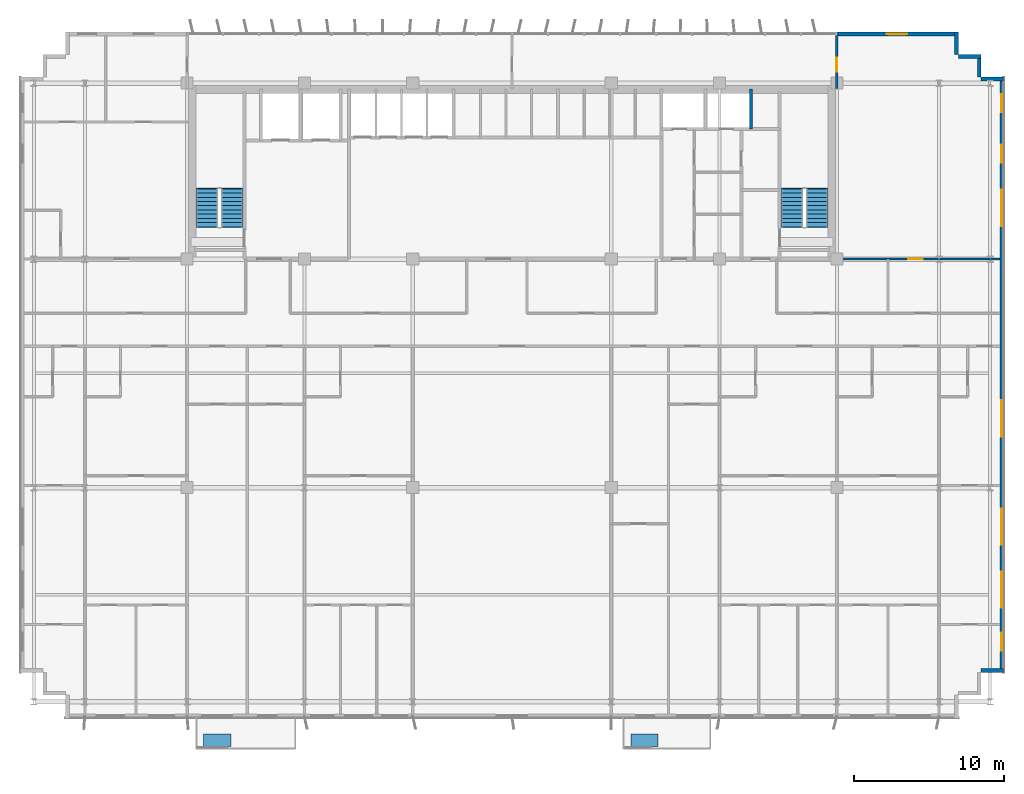
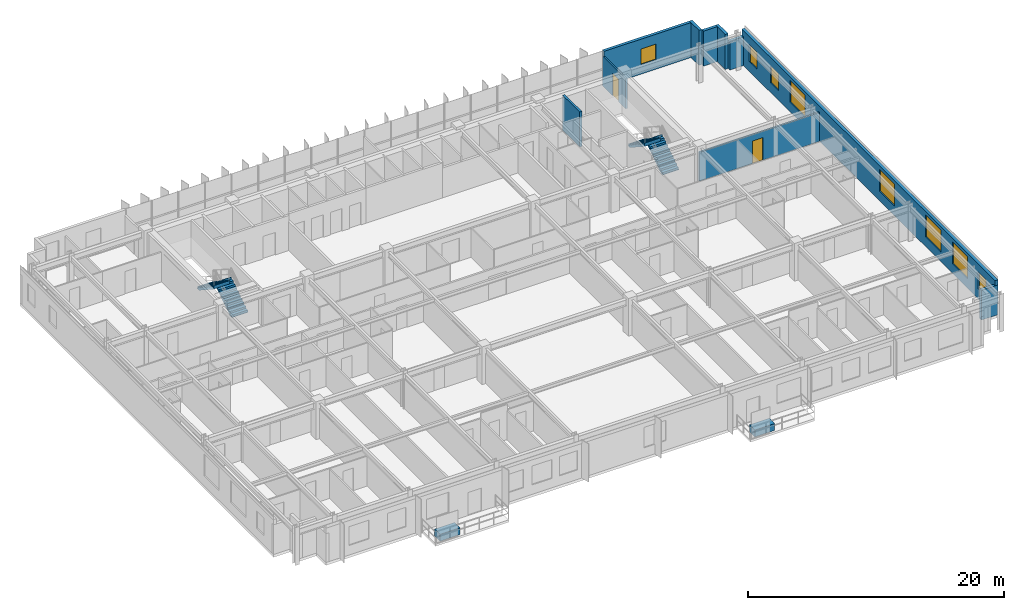
# One storey, part 19 of 22: 10 walls, 8 windows, 4 stair flights, 2 discrete accessories, 2 doors, 10 openings, 2 elements without a shape of their own.
"""IFC4 building model written with IfcOpenShell, lengths in metres."""

import ifcopenshell
import ifcopenshell.guid

model = None  # the IFC model being written
_history = None  # IfcOwnerHistory: only IFC2X3 demands one
_inside = {}  # id of a spatial element -> (the spatial element, [elements in it])
_under = {}  # id of a project, library or spatial element -> (it, [spatial elements below it])
_declared = {}  # id of a project -> (the project, [libraries it declares])
_typed = {}  # id of a type object -> (the type object, [elements of that type])
_made_of = {}  # id of a material, layer set ... -> (it, [elements and type objects made of it])


def new_model(schema):
    """Start an empty IFC model of exactly this schema.

    Asked for "IFC4X3", IfcOpenShell would pick the latest addendum, in which some entities
    have other attributes; the version numbers below select the first issue.
    IFC2X3 requires an IfcOwnerHistory on every rooted entity: one is made here for all.
    """
    global model, _history
    if schema == "IFC4X3":
        model = ifcopenshell.file(schema_version=(4, 3, 0, 0))
    else:
        model = ifcopenshell.file(schema=schema)
    _inside.clear()
    _under.clear()
    _declared.clear()
    _typed.clear()
    _made_of.clear()
    _history = None
    if model.schema == "IFC2X3":
        org = make("IfcOrganization", Name="unknown")
        user = make(
            "IfcPersonAndOrganization",
            ThePerson=make("IfcPerson", FamilyName="unknown"),
            TheOrganization=org,
        )
        app = make(
            "IfcApplication",
            ApplicationDeveloper=org,
            Version="unknown",
            ApplicationFullName="unknown",
            ApplicationIdentifier="unknown",
        )
        _history = make(
            "IfcOwnerHistory",
            OwningUser=user,
            OwningApplication=app,
            ChangeAction="ADDED",
            CreationDate=0,
        )
    return model


def make(cls, **values):
    """One entity of the class cls with the attributes given. An attribute that is None is left unset."""
    return model.create_entity(
        cls, **{name: value for name, value in values.items() if value is not None}
    )


def rooted(cls, **values):
    """An entity with a GlobalId (a new one), such as an element, a storey or a relation."""
    return make(cls, GlobalId=ifcopenshell.guid.new(), OwnerHistory=_history, **values)


def si_unit(unit_type, name, prefix=None):
    """IfcSIUnit, for example si_unit("LENGTHUNIT", "METRE", prefix="MILLI")."""
    return make("IfcSIUnit", UnitType=unit_type, Prefix=prefix, Name=name)


def assignment(units):
    """IfcUnitAssignment: the units of a project."""
    return None if units is None else make("IfcUnitAssignment", Units=units)


def point(xyz):
    """IfcCartesianPoint."""
    return None if xyz is None else make("IfcCartesianPoint", Coordinates=xyz)


def direction(xyz):
    """IfcDirection."""
    return None if xyz is None else make("IfcDirection", DirectionRatios=xyz)


def frame(location, z_axis=None, x_axis=None):
    """IfcAxis2Placement3D, a coordinate frame: its origin and axes. An axis left out is left unset."""
    return make(
        "IfcAxis2Placement3D",
        Location=point(location),
        Axis=direction(z_axis),
        RefDirection=direction(x_axis),
    )


def frame_2d(location, x_axis=None):
    """IfcAxis2Placement2D, a coordinate frame in the plane: its origin and x axis."""
    return make(
        "IfcAxis2Placement2D", Location=point(location), RefDirection=direction(x_axis)
    )


def origin():
    """The frame at (0, 0, 0) with its axes left unset."""
    return frame((0.0, 0.0, 0.0))


def origin_2d():
    """The frame at (0, 0) in the plane with its x axis left unset."""
    return frame_2d((0.0, 0.0))


def place(relative_to, where):
    """IfcLocalPlacement: puts the frame where relative to a parent placement (None: the world)."""
    return make(
        "IfcLocalPlacement", PlacementRelTo=relative_to, RelativePlacement=where
    )


def context(
    kind, dimensions, precision=None, world=None, true_north=None, identifier=None
):
    """IfcGeometricRepresentationContext, for example the 3D "Model" context."""
    return make(
        "IfcGeometricRepresentationContext",
        ContextIdentifier=identifier,
        ContextType=kind,
        CoordinateSpaceDimension=dimensions,
        Precision=precision,
        WorldCoordinateSystem=world,
        TrueNorth=true_north,
    )


def subcontext(parent, identifier, kind, view, scale=None):
    """IfcGeometricRepresentationSubContext, for example "Body" below "Model"."""
    return make(
        "IfcGeometricRepresentationSubContext",
        ContextIdentifier=identifier,
        ContextType=kind,
        ParentContext=parent,
        TargetScale=scale,
        TargetView=view,
    )


def project(units=None, contexts=None):
    """IfcProject with its units and contexts."""
    return rooted(
        "IfcProject",
        Name="project",
        RepresentationContexts=contexts,
        UnitsInContext=assignment(units),
    )


def spatial(cls, under=None, at=None, **own):
    """A site, building, storey or space (cls), placed at a placement, below another one or the project."""
    s = rooted(cls, ObjectPlacement=at, **own)
    if under is not None:
        _under.setdefault(under.id(), (under, []))[1].append(s)
    return s


def polyline(points):
    """IfcPolyline through the points."""
    return make("IfcPolyline", Points=[point(p) for p in points])


def profile(cls, at=None, kind="AREA", **sizes):
    """A parametric profile (cls). Its sizes go by their IFC names, for example OverallWidth=200.0."""
    return make(cls, ProfileType=kind, Position=at, **sizes)


def rectangle(**sizes):
    """IfcRectangleProfileDef."""
    return profile("IfcRectangleProfileDef", **sizes)


def outline(outer, holes=None, kind="AREA"):
    """IfcArbitraryClosedProfileDef: a profile drawn as a closed curve; with holes, ...WithVoids."""
    if holes is None:
        return make("IfcArbitraryClosedProfileDef", ProfileType=kind, OuterCurve=outer)
    return make(
        "IfcArbitraryProfileDefWithVoids",
        ProfileType=kind,
        OuterCurve=outer,
        InnerCurves=holes,
    )


def extrude(swept, where, along, depth):
    """IfcExtrudedAreaSolid: the profile swept, set in the frame where, extruded along a direction by depth."""
    return make(
        "IfcExtrudedAreaSolid",
        SweptArea=swept,
        Position=where,
        ExtrudedDirection=direction(along),
        Depth=depth,
    )


def shape(context_of_items, identifier, shape_type, items):
    """IfcShapeRepresentation: the items that make up one representation, for example the "Body"."""
    return make(
        "IfcShapeRepresentation",
        ContextOfItems=context_of_items,
        RepresentationIdentifier=identifier,
        RepresentationType=shape_type,
        Items=items,
    )


def source(mapping_origin, context_of_items, identifier, shape_type, items):
    """IfcRepresentationMap: a shape defined once, which mapped items show again and again."""
    return make(
        "IfcRepresentationMap",
        MappingOrigin=mapping_origin,
        MappedRepresentation=shape(context_of_items, identifier, shape_type, items),
    )


def transform(
    local_origin,
    x_axis=None,
    y_axis=None,
    z_axis=None,
    scale=None,
    scale2=None,
    scale3=None,
    uniform=True,
):
    """IfcCartesianTransformationOperator3D, or its non-uniform kind. x_axis, y_axis, z_axis: its Axis1, 2, 3."""
    if uniform:
        return make(
            "IfcCartesianTransformationOperator3D",
            Axis1=direction(x_axis),
            Axis2=direction(y_axis),
            LocalOrigin=point(local_origin),
            Scale=scale,
            Axis3=direction(z_axis),
        )
    return make(
        "IfcCartesianTransformationOperator3DnonUniform",
        Axis1=direction(x_axis),
        Axis2=direction(y_axis),
        LocalOrigin=point(local_origin),
        Scale=scale,
        Axis3=direction(z_axis),
        Scale2=scale2,
        Scale3=scale3,
    )


def mapped(mapping_source, mapping_target):
    """IfcMappedItem: shows the shape of a source again, moved by a transform."""
    return make(
        "IfcMappedItem", MappingSource=mapping_source, MappingTarget=mapping_target
    )


def material(Name=None, Category=None):
    """IfcMaterial."""
    return make("IfcMaterial", Name=Name, Category=Category)


def layer(
    of_material, thickness, ventilated=None, Name=None, Category=None, Priority=None
):
    """IfcMaterialLayer: one layer of a wall or slab, of a material (None: an air gap)."""
    return make(
        "IfcMaterialLayer",
        Material=of_material,
        LayerThickness=thickness,
        IsVentilated=ventilated,
        Name=Name,
        Category=Category,
        Priority=Priority,
    )


def layer_set(layers, Name=None):
    """IfcMaterialLayerSet."""
    return make("IfcMaterialLayerSet", MaterialLayers=layers, LayerSetName=Name)


def made_of(thing, what):
    """Note that an element or type object is made of a material, layer set ...; save() writes the relation."""
    if what is not None:
        _made_of.setdefault(what.id(), (what, []))[1].append(thing)
    return thing


def type_object(cls, material=None, **own):
    """A type object (cls), such as IfcWallType, which elements share."""
    return made_of(rooted(cls, **own), material)


def element(
    cls,
    number,
    at=None,
    inside=None,
    cuts=None,
    type_object=None,
    material=None,
    context=None,
    identifier="Body",
    shape_type=None,
    held_by="IfcProductDefinitionShape",
    body=None,
    shapes=None,
    **own,
):
    """One element of the class cls, such as IfcWall. Its Tag is "e" and its number.

    at: its placement. inside: the storey or other place that contains it. cuts: it is an
    opening in that element (IfcRelVoidsElement). A single representation is given by context,
    identifier, shape_type and body (its items); several are given by shapes. held_by: the class
    of the entity that holds the representations. save() writes the other relations.
    """
    e = rooted(cls, Tag="e%d" % number, ObjectPlacement=at, **own)
    if body is not None:
        shapes = [shape(context, identifier, shape_type, body)]
    if shapes is not None:
        e.Representation = make(held_by, Representations=shapes)
    if inside is not None:
        _inside.setdefault(inside.id(), (inside, []))[1].append(e)
    if cuts is not None:
        rooted(
            "IfcRelVoidsElement", RelatingBuildingElement=cuts, RelatedOpeningElement=e
        )
    if type_object is not None:
        _typed.setdefault(type_object.id(), (type_object, []))[1].append(e)
    return made_of(e, material)


def fill(opening, filler):
    """IfcRelFillsElement: the door or window that sits in an opening."""
    return rooted(
        "IfcRelFillsElement",
        RelatingOpeningElement=opening,
        RelatedBuildingElement=filler,
    )


def aggregate(whole, parts):
    """IfcRelAggregates: a whole, such as a stair, and the parts it consists of."""
    return rooted("IfcRelAggregates", RelatingObject=whole, RelatedObjects=parts)


def save(model, path):
    """Write the relations noted so far, then the file.

    IfcRelAggregates (storeys below a building ...), IfcRelContainedInSpatialStructure (elements
    in a storey), IfcRelDefinesByType, IfcRelAssociatesMaterial and IfcRelDeclares: one each for
    every whole, place, type object, material and project.
    """
    for whole, parts in _under.values():
        aggregate(whole, parts)
    for where, things in _inside.values():
        rooted(
            "IfcRelContainedInSpatialStructure",
            RelatedElements=things,
            RelatingStructure=where,
        )
    for kind, things in _typed.values():
        rooted("IfcRelDefinesByType", RelatedObjects=things, RelatingType=kind)
    for what, things in _made_of.values():
        rooted("IfcRelAssociatesMaterial", RelatedObjects=things, RelatingMaterial=what)
    for by, libraries in _declared.values():
        rooted("IfcRelDeclares", RelatingContext=by, RelatedDefinitions=libraries)
    model.write(path)


model = new_model("IFC4")

# Units and contexts
model_context = context("Model", 3, precision=1e-05, world=origin(), true_north=direction((0.0, 1.0)))
body_context = subcontext(model_context, "Body", "Model", "MODEL_VIEW")
ifc_project = project(units=[si_unit("LENGTHUNIT", "METRE"), si_unit("AREAUNIT", "SQUARE_METRE"), si_unit("VOLUMEUNIT", "CUBIC_METRE"), si_unit("PLANEANGLEUNIT", "RADIAN"), si_unit("MASSUNIT", "GRAM", prefix="KILO")], contexts=[model_context])

# Site, building, storey
site_placement = place(None, origin())
site = spatial("IfcSite", under=ifc_project, at=site_placement, CompositionType="ELEMENT")
building_placement = place(site_placement, origin())
building = spatial("IfcBuilding", under=site, at=building_placement, Name="Trelvane Seafront Commons", CompositionType="ELEMENT")
storey_placement = place(building_placement, frame((0.0, 0.0, 99.699951171875)))
storey = spatial("IfcBuildingStorey", under=building, at=storey_placement, Name="L25", CompositionType="ELEMENT", Elevation=99.699951171875)

# Wall, opening, window
ifc_material_1 = material(Name="Precast concrete C40/50", Category="concrete")
ifc_layer_1 = layer(ifc_material_1, 0.260009765625, Name="ARCH-WALL-EXT260")
ifc_layer_set_1 = layer_set([ifc_layer_1], Name="Precast concrete C40/50")
wall_type_1 = type_object("IfcWallType", Name="ARCH-WALL-EXT260", PredefinedType="SOLIDWALL", material=ifc_layer_set_1)
wall_1_placement = place(storey_placement, frame((58.800048828125, 48.3701171875, 0.0), z_axis=(0.0, 0.0, 1.0), x_axis=(1.0, 0.0, 0.0)))
wall_1 = element("IfcWall", 1, at=wall_1_placement, inside=storey, type_object=wall_type_1, Name="EW-L25-NE-0455", PredefinedType="SOLIDWALL", context=body_context, shape_type="SweptSolid", body=[
    extrude(rectangle(XDim=8.0, YDim=0.260009765625, at=frame_2d((4.0, 0.0))), origin(), (0.0, 0.0, 1.0), 3.340087890625),
])
opening_1_placement = place(wall_1_placement, frame((3.324951171875, 0.0, 0.89990234375)))
opening_1 = element("IfcOpeningElement", 2, at=opening_1_placement, cuts=wall_1, Name="Opening W09", PredefinedType="OPENING", context=body_context, shape_type="SweptSolid", body=[
    extrude(rectangle(XDim=1.35009765625, YDim=1.5, at=frame_2d((0.675048828125, 0.75))), frame((0.0, 0.139892578125, 0.0), z_axis=(0.0, -1.0, 0.0), x_axis=(1.0, 0.0, 0.0)), (0.0, 0.0, 1.0), 0.280029296875),
])
ifc_material_2 = material(Name="Low-E coastal double glazing", Category="glass")
window_type_1 = type_object("IfcWindowType", Name="ARCH-WIN-W09", PartitioningType="SINGLE_PANEL", PredefinedType="WINDOW", material=ifc_material_2)
shared_shape_1 = source(origin(), body_context, "Body", "SweptSolid", [
    extrude(rectangle(XDim=1.35009765625, YDim=1.5, at=frame_2d((0.675048828125, 0.75))), frame((0.0, 0.030029296875, 0.0), z_axis=(0.0, -1.0, 0.0), x_axis=(1.0, 0.0, 0.0)), (0.0, 0.0, 1.0), 0.06005859375),
])
window_1_placement = place(opening_1_placement, origin())
window_1 = element("IfcWindow", 3, at=window_1_placement, inside=storey, type_object=window_type_1, Name="WIN-L25-00534", OverallHeight=1.5, OverallWidth=1.35009765625, PartitioningType="SINGLE_PANEL", PredefinedType="WINDOW", context=body_context, shape_type="MappedRepresentation", body=[
    mapped(shared_shape_1, transform((0.0, 0.0, 0.0), x_axis=(1.0, 0.0, 0.0), y_axis=(0.0, 1.0, 0.0), z_axis=(0.0, 0.0, 1.0), scale=1.0)),
])
fill(opening_1, window_1)

# Walls
for number, where, z_axis, x_axis, name in (
    (4, (66.77001953125, 48.5, 0.0), (0.0, 0.0, 1.0), (0.0, -1.0, 0.0), "EW-L25-00464"),
    (5, (66.89990234375, 46.8701171875, 0.0), (0.0, 0.0, 1.0), (1.0, 0.0, 0.0), "EW-L25-00465"),
    (6, (68.27001953125, 47.0, 0.0), (0.0, 0.0, 1.0), (0.0, -1.0, 0.0), "EW-L25-00466"),
):
    element("IfcWall", number, at=place(storey_placement, frame(where, z_axis=z_axis, x_axis=x_axis)), inside=storey, type_object=wall_type_1, Name=name, PredefinedType="SOLIDWALL", context=body_context, shape_type="SweptSolid", body=[
        extrude(rectangle(XDim=1.5, YDim=0.260009765625, at=frame_2d((0.75, 0.0))), origin(), (0.0, 0.0, 1.0), 3.340087890625),
    ])
wall_2_placement = place(storey_placement, frame((68.39990234375, 45.3701171875, 0.0), z_axis=(0.0, 0.0, 1.0), x_axis=(1.0, 0.0, 0.0)))
element("IfcWall", 7, at=wall_2_placement, inside=storey, type_object=wall_type_1, Name="EW-L25-00467", PredefinedType="SOLIDWALL", context=body_context, shape_type="SweptSolid", body=[
    extrude(rectangle(XDim=1.5, YDim=0.260009765625, at=frame_2d((0.75, 0.0))), origin(), (0.0, 0.0, 1.0), 2.751953125),
])

# Wall, openings, windows
wall_3_placement = place(storey_placement, frame((69.77001953125, 45.5, 0.0), z_axis=(0.0, 0.0, 1.0), x_axis=(0.0, -1.0, 0.0)))
wall_3 = element("IfcWall", 8, at=wall_3_placement, inside=storey, type_object=wall_type_1, Name="EW-L25-00468", PredefinedType="SOLIDWALL", context=body_context, shape_type="SweptSolid", body=[
    extrude(rectangle(XDim=39.60009765625, YDim=0.260009765625, at=frame_2d((19.800048828125, 0.0))), origin(), (0.0, 0.0, 1.0), 3.340087890625),
])
opening_2_placement = place(wall_3_placement, frame((36.949951171875, 0.0, 0.919921875)))
opening_2 = element("IfcOpeningElement", 9, at=opening_2_placement, cuts=wall_3, Name="Opening W05", PredefinedType="OPENING", context=body_context, shape_type="SweptSolid", body=[
    extrude(rectangle(XDim=1.199951171875, YDim=1.64990234375, at=frame_2d((0.60009765625, 0.824951171875))), frame((0.0, 0.139892578125, 0.0), z_axis=(0.0, -1.0, 0.0), x_axis=(1.0, 0.0, 0.0)), (0.0, 0.0, 1.0), 0.280029296875),
])
opening_3_placement = place(wall_3_placement, frame((32.89990234375, 0.0, 0.919921875)))
opening_3 = element("IfcOpeningElement", 10, at=opening_3_placement, cuts=wall_3, Name="Opening W08", PredefinedType="OPENING", context=body_context, shape_type="SweptSolid", body=[
    extrude(rectangle(XDim=2.39990234375, YDim=2.10009765625, at=frame_2d((1.199951171875, 1.050048828125))), frame((0.0, 0.139892578125, 0.0), z_axis=(0.0, -1.0, 0.0), x_axis=(1.0, 0.0, 0.0)), (0.0, 0.0, 1.0), 0.280029296875),
])
opening_4_placement = place(wall_3_placement, frame((28.699951171875, 0.0, 0.919921875)))
opening_4 = element("IfcOpeningElement", 11, at=opening_4_placement, cuts=wall_3, Name="Opening W08", PredefinedType="OPENING", context=body_context, shape_type="SweptSolid", body=[
    extrude(rectangle(XDim=2.39990234375, YDim=2.10009765625, at=frame_2d((1.199951171875, 1.050048828125))), frame((0.0, 0.139892578125, 0.0), z_axis=(0.0, -1.0, 0.0), x_axis=(1.0, 0.0, 0.0)), (0.0, 0.0, 1.0), 0.280029296875),
])
opening_5_placement = place(wall_3_placement, frame((21.5, 0.0, 0.919921875)))
opening_5 = element("IfcOpeningElement", 12, at=opening_5_placement, cuts=wall_3, Name="Opening W08", PredefinedType="OPENING", context=body_context, shape_type="SweptSolid", body=[
    extrude(rectangle(XDim=2.39990234375, YDim=2.10009765625, at=frame_2d((1.199951171875, 1.050048828125))), frame((0.0, 0.139892578125, 0.0), z_axis=(0.0, -1.0, 0.0), x_axis=(1.0, 0.0, 0.0)), (0.0, 0.0, 1.0), 0.280029296875),
])
opening_6_placement = place(wall_3_placement, frame((7.5, 0.0, 0.919921875)))
opening_6 = element("IfcOpeningElement", 13, at=opening_6_placement, cuts=wall_3, Name="Opening W08", PredefinedType="OPENING", context=body_context, shape_type="SweptSolid", body=[
    extrude(rectangle(XDim=2.39990234375, YDim=2.10009765625, at=frame_2d((1.199951171875, 1.050048828125))), frame((0.0, 0.139892578125, 0.0), z_axis=(0.0, -1.0, 0.0), x_axis=(1.0, 0.0, 0.0)), (0.0, 0.0, 1.0), 0.280029296875),
])
opening_7_placement = place(wall_3_placement, frame((4.5, 0.0, 0.919921875)))
opening_7 = element("IfcOpeningElement", 14, at=opening_7_placement, cuts=wall_3, Name="Opening W05", PredefinedType="OPENING", context=body_context, shape_type="SweptSolid", body=[
    extrude(rectangle(XDim=1.199951171875, YDim=1.64990234375, at=frame_2d((0.60009765625, 0.824951171875))), frame((0.0, 0.139892578125, 0.0), z_axis=(0.0, -1.0, 0.0), x_axis=(1.0, 0.0, 0.0)), (0.0, 0.0, 1.0), 0.280029296875),
])
opening_8_placement = place(wall_3_placement, frame((1.14990234375, 0.0, 0.919921875)))
opening_8 = element("IfcOpeningElement", 15, at=opening_8_placement, cuts=wall_3, Name="Opening W05", PredefinedType="OPENING", context=body_context, shape_type="SweptSolid", body=[
    extrude(rectangle(XDim=1.199951171875, YDim=1.64990234375, at=frame_2d((0.60009765625, 0.824951171875))), frame((0.0, 0.139892578125, 0.0), z_axis=(0.0, -1.0, 0.0), x_axis=(1.0, 0.0, 0.0)), (0.0, 0.0, 1.0), 0.280029296875),
])
window_type_2 = type_object("IfcWindowType", Name="ARCH-WIN-W08", PartitioningType="SINGLE_PANEL", PredefinedType="WINDOW", material=ifc_material_2)
shared_shape_2 = source(origin(), body_context, "Body", "SweptSolid", [
    extrude(rectangle(XDim=2.39990234375, YDim=2.10009765625, at=frame_2d((1.199951171875, 1.050048828125))), frame((0.0, 0.030029296875, 0.0), z_axis=(0.0, -1.0, 0.0), x_axis=(1.0, 0.0, 0.0)), (0.0, 0.0, 1.0), 0.06005859375),
])
window_2_placement = place(opening_3_placement, origin())
window_2 = element("IfcWindow", 16, at=window_2_placement, inside=storey, type_object=window_type_2, Name="WIN-L25-EW-00541", OverallHeight=2.10009765625, OverallWidth=2.39990234375, PartitioningType="SINGLE_PANEL", PredefinedType="WINDOW", context=body_context, shape_type="MappedRepresentation", body=[
    mapped(shared_shape_2, transform((0.0, 0.0, 0.0), x_axis=(1.0, 0.0, 0.0), y_axis=(0.0, 1.0, 0.0), z_axis=(0.0, 0.0, 1.0), scale=1.0)),
])
fill(opening_3, window_2)
window_3_placement = place(opening_4_placement, origin())
window_3 = element("IfcWindow", 17, at=window_3_placement, inside=storey, type_object=window_type_2, Name="WIN-L25-EW-00542", OverallHeight=2.10009765625, OverallWidth=2.39990234375, PartitioningType="SINGLE_PANEL", PredefinedType="WINDOW", context=body_context, shape_type="MappedRepresentation", body=[
    mapped(shared_shape_2, transform((0.0, 0.0, 0.0), x_axis=(1.0, 0.0, 0.0), y_axis=(0.0, 1.0, 0.0), z_axis=(0.0, 0.0, 1.0), scale=1.0)),
])
fill(opening_4, window_3)
window_4_placement = place(opening_5_placement, origin())
window_4 = element("IfcWindow", 18, at=window_4_placement, inside=storey, type_object=window_type_2, Name="WIN-L25-EW-00543", OverallHeight=2.10009765625, OverallWidth=2.39990234375, PartitioningType="SINGLE_PANEL", PredefinedType="WINDOW", context=body_context, shape_type="MappedRepresentation", body=[
    mapped(shared_shape_2, transform((0.0, 0.0, 0.0), x_axis=(1.0, 0.0, 0.0), y_axis=(0.0, 1.0, 0.0), z_axis=(0.0, 0.0, 1.0), scale=1.0)),
])
fill(opening_5, window_4)
window_5_placement = place(opening_6_placement, origin())
window_5 = element("IfcWindow", 19, at=window_5_placement, inside=storey, type_object=window_type_2, Name="WIN-L25-EW-00544", OverallHeight=2.10009765625, OverallWidth=2.39990234375, PartitioningType="SINGLE_PANEL", PredefinedType="WINDOW", context=body_context, shape_type="MappedRepresentation", body=[
    mapped(shared_shape_2, transform((0.0, 0.0, 0.0), x_axis=(1.0, 0.0, 0.0), y_axis=(0.0, 1.0, 0.0), z_axis=(0.0, 0.0, 1.0), scale=1.0)),
])
fill(opening_6, window_5)
window_type_3 = type_object("IfcWindowType", Name="ARCH-WIN-W05", PartitioningType="SINGLE_PANEL", PredefinedType="WINDOW", material=ifc_material_2)
shared_shape_3 = source(origin(), body_context, "Body", "SweptSolid", [
    extrude(rectangle(XDim=1.199951171875, YDim=1.64990234375, at=frame_2d((0.60009765625, 0.824951171875))), frame((0.0, 0.030029296875, 0.0), z_axis=(0.0, -1.0, 0.0), x_axis=(1.0, 0.0, 0.0)), (0.0, 0.0, 1.0), 0.06005859375),
])
window_6_placement = place(opening_2_placement, origin())
window_6 = element("IfcWindow", 20, at=window_6_placement, inside=storey, type_object=window_type_3, Name="WIN-L25-EW-00540", OverallHeight=1.64990234375, OverallWidth=1.199951171875, PartitioningType="SINGLE_PANEL", PredefinedType="WINDOW", context=body_context, shape_type="MappedRepresentation", body=[
    mapped(shared_shape_3, transform((0.0, 0.0, 0.0), x_axis=(1.0, 0.0, 0.0), y_axis=(0.0, 1.0, 0.0), z_axis=(0.0, 0.0, 1.0), scale=1.0)),
])
fill(opening_2, window_6)
window_7_placement = place(opening_7_placement, origin())
window_7 = element("IfcWindow", 21, at=window_7_placement, inside=storey, type_object=window_type_3, Name="WIN-L25-EW-00545", OverallHeight=1.64990234375, OverallWidth=1.199951171875, PartitioningType="SINGLE_PANEL", PredefinedType="WINDOW", context=body_context, shape_type="MappedRepresentation", body=[
    mapped(shared_shape_3, transform((0.0, 0.0, 0.0), x_axis=(1.0, 0.0, 0.0), y_axis=(0.0, 1.0, 0.0), z_axis=(0.0, 0.0, 1.0), scale=1.0)),
])
fill(opening_7, window_7)
window_8_placement = place(opening_8_placement, origin())
window_8 = element("IfcWindow", 22, at=window_8_placement, inside=storey, type_object=window_type_3, Name="WIN-L25-EW-00546", OverallHeight=1.64990234375, OverallWidth=1.199951171875, PartitioningType="SINGLE_PANEL", PredefinedType="WINDOW", context=body_context, shape_type="MappedRepresentation", body=[
    mapped(shared_shape_3, transform((0.0, 0.0, 0.0), x_axis=(1.0, 0.0, 0.0), y_axis=(0.0, 1.0, 0.0), z_axis=(0.0, 0.0, 1.0), scale=1.0)),
])
fill(opening_8, window_8)

# Wall
wall_4_placement = place(storey_placement, frame((69.89990234375, 6.030029296875, 0.0), z_axis=(0.0, 0.0, 1.0), x_axis=(-1.0, 0.0, 0.0)))
element("IfcWall", 23, at=wall_4_placement, inside=storey, type_object=wall_type_1, Name="EW-L25-00469", PredefinedType="SOLIDWALL", context=body_context, shape_type="SweptSolid", body=[
    extrude(rectangle(XDim=1.5, YDim=0.260009765625, at=frame_2d((0.75, 0.0))), origin(), (0.0, 0.0, 1.0), 2.840087890625),
])

# Wall, opening, door
ifc_material_3 = material(Name="Gypsum Drywall Acoustic Partition")
ifc_layer_2 = layer(ifc_material_3, 0.14990234375, Name="ARCH-WALL-PART150")
ifc_layer_set_2 = layer_set([ifc_layer_2], Name="Gypsum Drywall Acoustic Partition")
wall_type_2 = type_object("IfcWallType", Name="ARCH-WALL-PART150", PredefinedType="PARTITIONING", material=ifc_layer_set_2)
wall_5_placement = place(storey_placement, frame((58.800048828125, 33.39990234375, 0.0), z_axis=(0.0, 0.0, 1.0), x_axis=(1.0, 0.0, 0.0)))
wall_5 = element("IfcWall", 24, at=wall_5_placement, inside=storey, type_object=wall_type_2, Name="W-L25-NE-ENT-056", PredefinedType="PARTITIONING", context=body_context, shape_type="SweptSolid", body=[
    extrude(rectangle(XDim=10.849853515625, YDim=0.14990234375, at=frame_2d((5.4248046875, 0.0))), origin(), (0.0, 0.0, 1.0), 2.751953125),
])
opening_9_placement = place(wall_5_placement, frame((4.760009765625, 0.0, 0.0)))
opening_9 = element("IfcOpeningElement", 25, at=opening_9_placement, cuts=wall_5, Name="Opening FD-L25-28", PredefinedType="OPENING", context=body_context, shape_type="SweptSolid", body=[
    extrude(rectangle(XDim=0.949951171875, YDim=2.14990234375, at=frame_2d((0.47509765625, 1.074951171875))), frame((0.0, 0.0849609375, 0.0), z_axis=(0.0, -1.0, 0.0), x_axis=(1.0, 0.0, 0.0)), (0.0, 0.0, 1.0), 0.169921875),
])
ifc_material_4 = material(Name="Powder-coated aluminium frame", Category="aluminium")
door_type = type_object("IfcDoorType", Name="ARCH-DR-FD60-950", OperationType="NOTDEFINED", PredefinedType="DOOR", material=ifc_material_4)
shared_shape_4 = source(origin(), body_context, "Body", "SweptSolid", [
    extrude(rectangle(XDim=0.949951171875, YDim=2.14990234375, at=frame_2d((0.47509765625, 1.074951171875))), frame((0.0, 0.02490234375, 0.0), z_axis=(0.0, -1.0, 0.0), x_axis=(1.0, 0.0, 0.0)), (0.0, 0.0, 1.0), 0.050048828125),
])
door_1_placement = place(opening_9_placement, origin())
door_1 = element("IfcDoor", 26, at=door_1_placement, inside=storey, type_object=door_type, Name="L25 NE Suite Entrance Door", OperationType="SINGLE_SWING_RIGHT", OverallHeight=2.14990234375, OverallWidth=0.949951171875, PredefinedType="DOOR", context=body_context, shape_type="MappedRepresentation", body=[
    mapped(shared_shape_4, transform((0.0, 0.0, 0.0), x_axis=(1.0, 0.0, 0.0), y_axis=(0.0, 1.0, 0.0), z_axis=(0.0, 0.0, 1.0), scale=1.0)),
])
fill(opening_9, door_1)

wall_6_placement = place(storey_placement, frame((58.800048828125, 44.75, 0.0), z_axis=(0.0, 0.0, 1.0), x_axis=(0.0, 1.0, 0.0)))
wall_6 = element("IfcWall", 27, at=wall_6_placement, inside=storey, type_object=wall_type_2, Name="W-L25-N-LINK-E-059", PredefinedType="PARTITIONING", context=body_context, shape_type="SweptSolid", body=[
    extrude(rectangle(XDim=3.610107421875, YDim=0.14990234375, at=frame_2d((1.80517578125, 0.0))), origin(), (0.0, 0.0, 1.0), 2.840087890625),
])
opening_10_placement = place(wall_6_placement, frame((1.10009765625, 0.0, 0.0)))
opening_10 = element("IfcOpeningElement", 28, at=opening_10_placement, cuts=wall_6, Name="Opening FD-L25-31", PredefinedType="OPENING", context=body_context, shape_type="SweptSolid", body=[
    extrude(rectangle(XDim=0.949951171875, YDim=2.14990234375, at=frame_2d((0.47509765625, 1.074951171875))), frame((0.0, 0.0849609375, 0.0), z_axis=(0.0, -1.0, 0.0), x_axis=(1.0, 0.0, 0.0)), (0.0, 0.0, 1.0), 0.169921875),
])
door_2_placement = place(opening_10_placement, origin())
door_2 = element("IfcDoor", 29, at=door_2_placement, inside=storey, type_object=door_type, Name="L25 Door 31", OperationType="SINGLE_SWING_LEFT", OverallHeight=2.14990234375, OverallWidth=0.949951171875, PredefinedType="DOOR", context=body_context, shape_type="MappedRepresentation", body=[
    mapped(shared_shape_4, transform((0.0, 0.0, 0.0), x_axis=(1.0, 0.0, 0.0), y_axis=(0.0, 1.0, 0.0), z_axis=(0.0, 0.0, 1.0), scale=1.0)),
])
fill(opening_10, door_2)

# Wall
ifc_material_5 = material(Name="Concrete C40/50", Category="concrete")
ifc_layer_3 = layer(ifc_material_5, 0.199951171875, Name="ARCH-WALL-SHAFT200")
ifc_layer_set_3 = layer_set([ifc_layer_3], Name="Concrete C40/50")
wall_type_3 = type_object("IfcWallType", Name="ARCH-WALL-SHAFT200", PredefinedType="SOLIDWALL", material=ifc_layer_set_3)
wall_7_placement = place(storey_placement, frame((53.10009765625, 42.050048828125, 0.0), z_axis=(0.0, 0.0, 1.0), x_axis=(0.0, 1.0, 0.0)))
element("IfcWall", 30, at=wall_7_placement, inside=storey, type_object=wall_type_3, Name="W-L25-RSR-E-032", PredefinedType="SOLIDWALL", context=body_context, shape_type="SweptSolid", body=[
    extrude(rectangle(XDim=2.64990234375, YDim=0.199951171875, at=frame_2d((1.324951171875, 0.0))), origin(), (0.0, 0.0, 1.0), 3.340087890625),
])

# Stair, stair flights
stair_type_1 = type_object("IfcStairType", Name="ARCH-STR-ST-1-R20-180", PredefinedType="HALF_TURN_STAIR", material=ifc_material_5)
stair_1_placement = place(storey_placement, origin())
stair_1 = element("IfcStair", 31, at=stair_1_placement, inside=storey, type_object=stair_type_1, Name="L25 West Protected Firefighting Exit Stair ST-1", PredefinedType="HALF_TURN_STAIR")
stair_flight_type_1 = type_object("IfcStairFlightType", Name="ARCH-FLG-ST-1-R20-180", PredefinedType="STRAIGHT", material=ifc_material_5)
shared_shape_5 = source(origin(), body_context, "Body", "SweptSolid", [
    extrude(outline(polyline([(-0.050048828125, -0.02001953125), (-0.050048828125, 0.0), (0.0, 0.0), (0.0, 0.179931640625), (0.280029296875, 0.179931640625), (0.280029296875, 0.360107421875), (0.56005859375, 0.360107421875), (0.56005859375, 0.5400390625), (0.840087890625, 0.5400390625), (0.840087890625, 0.719970703125), (1.1201171875, 0.719970703125), (1.1201171875, 0.89990234375), (1.39990234375, 0.89990234375), (1.39990234375, 1.080078125), (1.679931640625, 1.080078125), (1.679931640625, 1.260009765625), (1.9599609375, 1.260009765625), (1.9599609375, 1.43994140625), (2.239990234375, 1.43994140625), (2.239990234375, 1.6201171875), (2.52001953125, 1.6201171875), (2.52001953125, 1.800048828125), (2.570068359375, 1.800048828125), (2.570068359375, 1.650146484375), (2.52001953125, 1.44189453125), (0.277099609375, -0.02001953125), (-0.050048828125, -0.02001953125)])), frame((0.0, 0.72509765625, 0.0), z_axis=(0.0, -1.0, 0.0), x_axis=(1.0, 0.0, 0.0)), (0.0, 0.0, 1.0), 1.449951171875),
])
stair_flight_1_placement = place(storey_placement, frame((18.574951171875, 35.550048828125, 0.0), z_axis=(0.0, 0.0, 1.0), x_axis=(0.0, 1.0, 0.0)))
stair_flight_1 = element("IfcStairFlight", 32, at=stair_flight_1_placement, type_object=stair_flight_type_1, Name="ST-1 flight 1", NumberOfRisers=10, NumberOfTreads=9, PredefinedType="STRAIGHT", RiserHeight=0.18, TreadLength=0.28, context=body_context, shape_type="MappedRepresentation", body=[
    mapped(shared_shape_5, transform((0.0, 0.0, 0.0), x_axis=(1.0, 0.0, 0.0), y_axis=(0.0, 1.0, 0.0), z_axis=(0.0, 0.0, 1.0), scale=1.0)),
])
stair_flight_2_placement = place(storey_placement, frame((16.925048828125, 38.070068359375, 1.800048828125), z_axis=(0.0, 0.0, 1.0), x_axis=(0.0, -1.0, 0.0)))
stair_flight_2 = element("IfcStairFlight", 33, at=stair_flight_2_placement, type_object=stair_flight_type_1, Name="ST-1 flight 2", NumberOfRisers=10, NumberOfTreads=9, PredefinedType="STRAIGHT", RiserHeight=0.18, TreadLength=0.28, context=body_context, shape_type="MappedRepresentation", body=[
    mapped(shared_shape_5, transform((0.0, 0.0, 0.0), x_axis=(1.0, 0.0, 0.0), y_axis=(0.0, 1.0, 0.0), z_axis=(0.0, 0.0, 1.0), scale=1.0)),
])
aggregate(stair_1, [stair_flight_1, stair_flight_2])

stair_type_2 = type_object("IfcStairType", Name="ARCH-STR-ST-2-R20-180", PredefinedType="HALF_TURN_STAIR", material=ifc_material_5)
stair_2_placement = place(storey_placement, origin())
stair_2 = element("IfcStair", 34, at=stair_2_placement, inside=storey, type_object=stair_type_2, Name="L25 East Protected Firefighting Exit Stair ST-2", PredefinedType="HALF_TURN_STAIR")
stair_flight_type_2 = type_object("IfcStairFlightType", Name="ARCH-FLG-ST-2-R20-180", PredefinedType="STRAIGHT", material=ifc_material_5)
stair_flight_3_placement = place(storey_placement, frame((57.47509765625, 35.550048828125, 0.0), z_axis=(0.0, 0.0, 1.0), x_axis=(0.0, 1.0, 0.0)))
stair_flight_3 = element("IfcStairFlight", 35, at=stair_flight_3_placement, type_object=stair_flight_type_2, Name="ST-2 flight 1", NumberOfRisers=10, NumberOfTreads=9, PredefinedType="STRAIGHT", RiserHeight=0.18, TreadLength=0.28, context=body_context, shape_type="MappedRepresentation", body=[
    mapped(shared_shape_5, transform((0.0, 0.0, 0.0), x_axis=(1.0, 0.0, 0.0), y_axis=(0.0, 1.0, 0.0), z_axis=(0.0, 0.0, 1.0), scale=1.0)),
])
stair_flight_4_placement = place(storey_placement, frame((55.824951171875, 38.070068359375, 1.800048828125), z_axis=(0.0, 0.0, 1.0), x_axis=(0.0, -1.0, 0.0)))
stair_flight_4 = element("IfcStairFlight", 36, at=stair_flight_4_placement, type_object=stair_flight_type_2, Name="ST-2 flight 2", NumberOfRisers=10, NumberOfTreads=9, PredefinedType="STRAIGHT", RiserHeight=0.18, TreadLength=0.28, context=body_context, shape_type="MappedRepresentation", body=[
    mapped(shared_shape_5, transform((0.0, 0.0, 0.0), x_axis=(1.0, 0.0, 0.0), y_axis=(0.0, 1.0, 0.0), z_axis=(0.0, 0.0, 1.0), scale=1.0)),
])
aggregate(stair_2, [stair_flight_3, stair_flight_4])

# Discrete accessories
discrete_accessory_type = type_object("IfcDiscreteAccessoryType", Name="ARCH-ACC-PLANTER", PredefinedType="USERDEFINED", material=ifc_material_1)
shared_shape_6 = source(origin(), body_context, "Body", "SweptSolid", [
    extrude(rectangle(XDim=1.800048828125, YDim=0.85009765625, at=origin_2d()), origin(), (0.0, 0.0, 1.0), 0.64990234375),
])
for number, where, z_axis, x_axis, name in (
    (37, (17.60009765625, 1.39990234375, 0.0), (0.0, 0.0, 1.0), (1.0, 0.0, 0.0), "PLN-L25-B0-028"),
    (38, (46.0, 1.39990234375, 0.0), (0.0, 0.0, 1.0), (1.0, 0.0, 0.0), "PLN-L25-B1-029"),
):
    element("IfcDiscreteAccessory", number, at=place(storey_placement, frame(where, z_axis=z_axis, x_axis=x_axis)), inside=storey, type_object=discrete_accessory_type, Name=name, ObjectType="BALCONY TREE PLANTER", PredefinedType="USERDEFINED", context=body_context, shape_type="MappedRepresentation", body=[
        mapped(shared_shape_6, transform((0.0, 0.0, 0.0), x_axis=(1.0, 0.0, 0.0), y_axis=(0.0, 1.0, 0.0), z_axis=(0.0, 0.0, 1.0), scale=1.0)),
    ])

save(model, "model.ifc")
